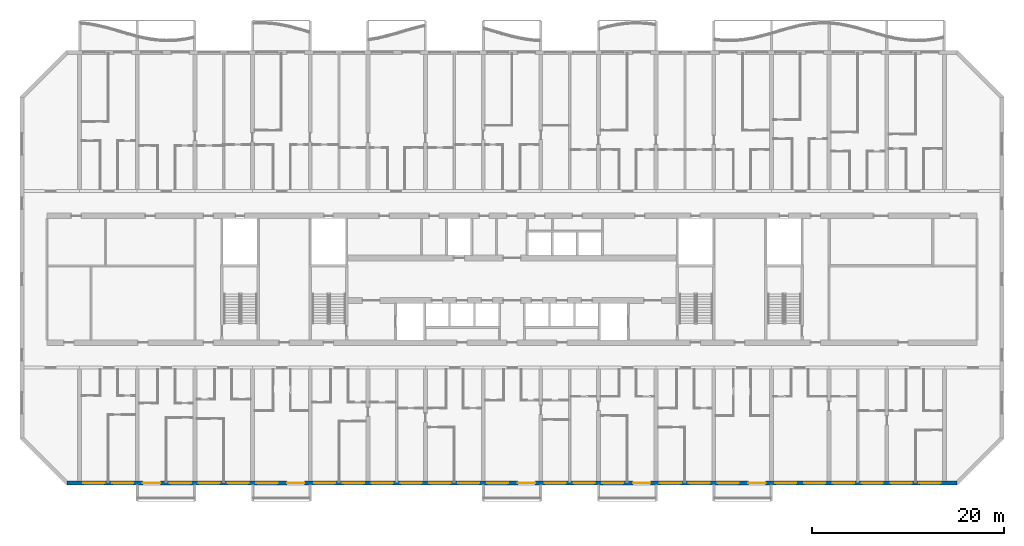
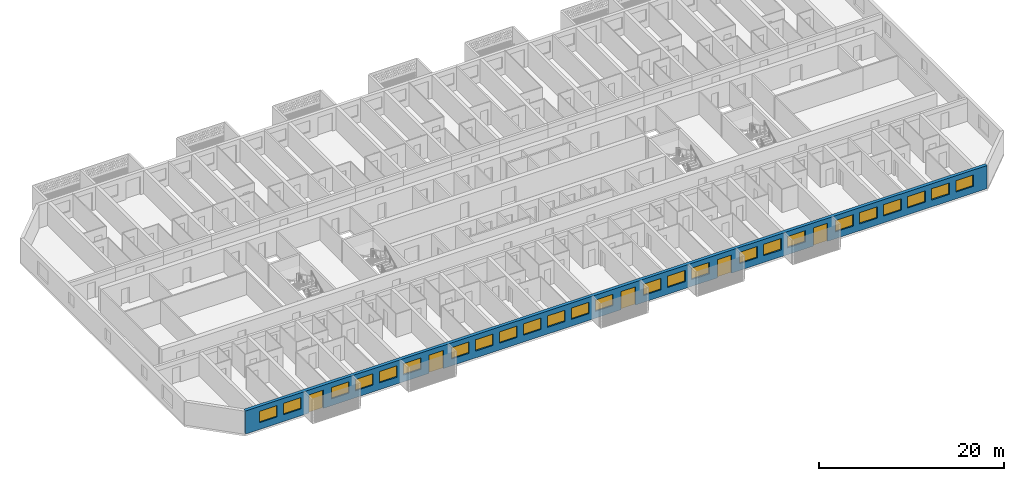
# One storey, part 5 of 40: 25 windows, 5 doors, 1 wall, 30 openings.
"""IFC4 building model written with IfcOpenShell, lengths in metres."""

from ifc_helpers import new_model, si_unit, direction, frame, frame_2d, origin, place, context, subcontext, project, spatial, rectangle, extrude, material, layer, layer_set, type_object, element, fill, save


model = new_model("IFC4")

# Units and contexts
model_context = context("Model", 3, precision=1e-05, world=origin(), true_north=direction((0.0, 1.0)))
body_context = subcontext(model_context, "Body", "Model", "MODEL_VIEW")
ifc_project = project(units=[si_unit("LENGTHUNIT", "METRE"), si_unit("AREAUNIT", "SQUARE_METRE"), si_unit("VOLUMEUNIT", "CUBIC_METRE"), si_unit("PLANEANGLEUNIT", "RADIAN"), si_unit("MASSUNIT", "GRAM", prefix="KILO")], contexts=[model_context])

# Site, building, storey
site_placement = place(None, origin())
site = spatial("IfcSite", under=ifc_project, at=site_placement, CompositionType="ELEMENT")
building_placement = place(site_placement, origin())
building = spatial("IfcBuilding", under=site, at=building_placement, Name="Poui Terraces", CompositionType="ELEMENT")
storey_placement = place(building_placement, frame((0.0, 0.0, 39.89990234375)))
storey = spatial("IfcBuildingStorey", under=building, at=storey_placement, Name="L10", CompositionType="ELEMENT", Elevation=39.89990234375)

# Wall, openings, doors, windows
ifc_material_1 = material(Name="Precast concrete 40 MPa", Category="concrete")
ifc_layer = layer(ifc_material_1, 0.39990234375)
ifc_layer_set = layer_set([ifc_layer], Name="Precast concrete 40 MPa")
wall_type = type_object("IfcWallType", Name="EXTERNAL WALL 400", PredefinedType="STANDARD", material=ifc_layer_set)
wall_placement = place(storey_placement, frame((4.682861328125, 0.0, 0.0), z_axis=(0.0, 0.0, 1.0), x_axis=(1.0, 0.0, 0.0)))
wall = element("IfcWall", 1, at=wall_placement, inside=storey, type_object=wall_type, Name="EXTERNAL WALL S", PredefinedType="STANDARD", context=body_context, shape_type="SweptSolid", body=[
    extrude(rectangle(XDim=92.63427734375, YDim=0.39990234375, at=frame_2d((46.317138671875, 0.0))), origin(), (0.0, 0.0, 1.0), 3.050048828125),
])
opening_1_placement = place(wall_placement, frame((1.71728515625, 0.0, 0.89990234375)))
opening_1 = element("IfcOpeningElement", 2, at=opening_1_placement, cuts=wall, Name="Opening W1", PredefinedType="OPENING", context=body_context, shape_type="SweptSolid", body=[
    extrude(rectangle(XDim=2.199951171875, YDim=1.5, at=frame_2d((1.10009765625, 0.75))), frame((0.0, 0.2099609375, 0.0), z_axis=(0.0, -1.0, 0.0), x_axis=(1.0, 0.0, 0.0)), (0.0, 0.0, 1.0), 0.419921875),
])
opening_2_placement = place(wall_placement, frame((4.71728515625, 0.0, 0.89990234375)))
opening_2 = element("IfcOpeningElement", 3, at=opening_2_placement, cuts=wall, Name="Opening W1", PredefinedType="OPENING", context=body_context, shape_type="SweptSolid", body=[
    extrude(rectangle(XDim=2.199951171875, YDim=1.5, at=frame_2d((1.10009765625, 0.75))), frame((0.0, 0.2099609375, 0.0), z_axis=(0.0, -1.0, 0.0), x_axis=(1.0, 0.0, 0.0)), (0.0, 0.0, 1.0), 0.419921875),
])
opening_3_placement = place(wall_placement, frame((7.917236328125, 0.0, 0.0)))
opening_3 = element("IfcOpeningElement", 4, at=opening_3_placement, cuts=wall, Name="Opening BD1", PredefinedType="OPENING", context=body_context, shape_type="SweptSolid", body=[
    extrude(rectangle(XDim=1.800048828125, YDim=2.39990234375, at=frame_2d((0.89990234375, 1.199951171875))), frame((0.0, 0.2099609375, 0.0), z_axis=(0.0, -1.0, 0.0), x_axis=(1.0, 0.0, 0.0)), (0.0, 0.0, 1.0), 0.419921875),
])
opening_4_placement = place(wall_placement, frame((10.71728515625, 0.0, 0.89990234375)))
opening_4 = element("IfcOpeningElement", 5, at=opening_4_placement, cuts=wall, Name="Opening W1", PredefinedType="OPENING", context=body_context, shape_type="SweptSolid", body=[
    extrude(rectangle(XDim=2.199951171875, YDim=1.5, at=frame_2d((1.10009765625, 0.75))), frame((0.0, 0.2099609375, 0.0), z_axis=(0.0, -1.0, 0.0), x_axis=(1.0, 0.0, 0.0)), (0.0, 0.0, 1.0), 0.419921875),
])
opening_5_placement = place(wall_placement, frame((13.71728515625, 0.0, 0.89990234375)))
opening_5 = element("IfcOpeningElement", 6, at=opening_5_placement, cuts=wall, Name="Opening W1", PredefinedType="OPENING", context=body_context, shape_type="SweptSolid", body=[
    extrude(rectangle(XDim=2.199951171875, YDim=1.5, at=frame_2d((1.10009765625, 0.75))), frame((0.0, 0.2099609375, 0.0), z_axis=(0.0, -1.0, 0.0), x_axis=(1.0, 0.0, 0.0)), (0.0, 0.0, 1.0), 0.419921875),
])
opening_6_placement = place(wall_placement, frame((16.71728515625, 0.0, 0.89990234375)))
opening_6 = element("IfcOpeningElement", 7, at=opening_6_placement, cuts=wall, Name="Opening W1", PredefinedType="OPENING", context=body_context, shape_type="SweptSolid", body=[
    extrude(rectangle(XDim=2.199951171875, YDim=1.5, at=frame_2d((1.10009765625, 0.75))), frame((0.0, 0.2099609375, 0.0), z_axis=(0.0, -1.0, 0.0), x_axis=(1.0, 0.0, 0.0)), (0.0, 0.0, 1.0), 0.419921875),
])
opening_7_placement = place(wall_placement, frame((19.71728515625, 0.0, 0.89990234375)))
opening_7 = element("IfcOpeningElement", 8, at=opening_7_placement, cuts=wall, Name="Opening W1", PredefinedType="OPENING", context=body_context, shape_type="SweptSolid", body=[
    extrude(rectangle(XDim=2.199951171875, YDim=1.5, at=frame_2d((1.10009765625, 0.75))), frame((0.0, 0.2099609375, 0.0), z_axis=(0.0, -1.0, 0.0), x_axis=(1.0, 0.0, 0.0)), (0.0, 0.0, 1.0), 0.419921875),
])
opening_8_placement = place(wall_placement, frame((22.917236328125, 0.0, 0.0)))
opening_8 = element("IfcOpeningElement", 9, at=opening_8_placement, cuts=wall, Name="Opening BD1", PredefinedType="OPENING", context=body_context, shape_type="SweptSolid", body=[
    extrude(rectangle(XDim=1.800048828125, YDim=2.39990234375, at=frame_2d((0.89990234375, 1.199951171875))), frame((0.0, 0.2099609375, 0.0), z_axis=(0.0, -1.0, 0.0), x_axis=(1.0, 0.0, 0.0)), (0.0, 0.0, 1.0), 0.419921875),
])
opening_9_placement = place(wall_placement, frame((25.71728515625, 0.0, 0.89990234375)))
opening_9 = element("IfcOpeningElement", 10, at=opening_9_placement, cuts=wall, Name="Opening W1", PredefinedType="OPENING", context=body_context, shape_type="SweptSolid", body=[
    extrude(rectangle(XDim=2.199951171875, YDim=1.5, at=frame_2d((1.10009765625, 0.75))), frame((0.0, 0.2099609375, 0.0), z_axis=(0.0, -1.0, 0.0), x_axis=(1.0, 0.0, 0.0)), (0.0, 0.0, 1.0), 0.419921875),
])
opening_10_placement = place(wall_placement, frame((28.71728515625, 0.0, 0.89990234375)))
opening_10 = element("IfcOpeningElement", 11, at=opening_10_placement, cuts=wall, Name="Opening W1", PredefinedType="OPENING", context=body_context, shape_type="SweptSolid", body=[
    extrude(rectangle(XDim=2.199951171875, YDim=1.5, at=frame_2d((1.10009765625, 0.75))), frame((0.0, 0.2099609375, 0.0), z_axis=(0.0, -1.0, 0.0), x_axis=(1.0, 0.0, 0.0)), (0.0, 0.0, 1.0), 0.419921875),
])
opening_11_placement = place(wall_placement, frame((31.71728515625, 0.0, 0.89990234375)))
opening_11 = element("IfcOpeningElement", 12, at=opening_11_placement, cuts=wall, Name="Opening W1", PredefinedType="OPENING", context=body_context, shape_type="SweptSolid", body=[
    extrude(rectangle(XDim=2.199951171875, YDim=1.5, at=frame_2d((1.10009765625, 0.75))), frame((0.0, 0.2099609375, 0.0), z_axis=(0.0, -1.0, 0.0), x_axis=(1.0, 0.0, 0.0)), (0.0, 0.0, 1.0), 0.419921875),
])
opening_12_placement = place(wall_placement, frame((34.71728515625, 0.0, 0.89990234375)))
opening_12 = element("IfcOpeningElement", 13, at=opening_12_placement, cuts=wall, Name="Opening W1", PredefinedType="OPENING", context=body_context, shape_type="SweptSolid", body=[
    extrude(rectangle(XDim=2.199951171875, YDim=1.5, at=frame_2d((1.10009765625, 0.75))), frame((0.0, 0.2099609375, 0.0), z_axis=(0.0, -1.0, 0.0), x_axis=(1.0, 0.0, 0.0)), (0.0, 0.0, 1.0), 0.419921875),
])
opening_13_placement = place(wall_placement, frame((37.71728515625, 0.0, 0.89990234375)))
opening_13 = element("IfcOpeningElement", 14, at=opening_13_placement, cuts=wall, Name="Opening W1", PredefinedType="OPENING", context=body_context, shape_type="SweptSolid", body=[
    extrude(rectangle(XDim=2.199951171875, YDim=1.5, at=frame_2d((1.10009765625, 0.75))), frame((0.0, 0.2099609375, 0.0), z_axis=(0.0, -1.0, 0.0), x_axis=(1.0, 0.0, 0.0)), (0.0, 0.0, 1.0), 0.419921875),
])
opening_14_placement = place(wall_placement, frame((40.71728515625, 0.0, 0.89990234375)))
opening_14 = element("IfcOpeningElement", 15, at=opening_14_placement, cuts=wall, Name="Opening W1", PredefinedType="OPENING", context=body_context, shape_type="SweptSolid", body=[
    extrude(rectangle(XDim=2.199951171875, YDim=1.5, at=frame_2d((1.10009765625, 0.75))), frame((0.0, 0.2099609375, 0.0), z_axis=(0.0, -1.0, 0.0), x_axis=(1.0, 0.0, 0.0)), (0.0, 0.0, 1.0), 0.419921875),
])
opening_15_placement = place(wall_placement, frame((43.71728515625, 0.0, 0.89990234375)))
opening_15 = element("IfcOpeningElement", 16, at=opening_15_placement, cuts=wall, Name="Opening W1", PredefinedType="OPENING", context=body_context, shape_type="SweptSolid", body=[
    extrude(rectangle(XDim=2.199951171875, YDim=1.5, at=frame_2d((1.10009765625, 0.75))), frame((0.0, 0.2099609375, 0.0), z_axis=(0.0, -1.0, 0.0), x_axis=(1.0, 0.0, 0.0)), (0.0, 0.0, 1.0), 0.419921875),
])
opening_16_placement = place(wall_placement, frame((46.917236328125, 0.0, 0.0)))
opening_16 = element("IfcOpeningElement", 17, at=opening_16_placement, cuts=wall, Name="Opening BD1", PredefinedType="OPENING", context=body_context, shape_type="SweptSolid", body=[
    extrude(rectangle(XDim=1.800048828125, YDim=2.39990234375, at=frame_2d((0.89990234375, 1.199951171875))), frame((0.0, 0.2099609375, 0.0), z_axis=(0.0, -1.0, 0.0), x_axis=(1.0, 0.0, 0.0)), (0.0, 0.0, 1.0), 0.419921875),
])
opening_17_placement = place(wall_placement, frame((49.71728515625, 0.0, 0.89990234375)))
opening_17 = element("IfcOpeningElement", 18, at=opening_17_placement, cuts=wall, Name="Opening W1", PredefinedType="OPENING", context=body_context, shape_type="SweptSolid", body=[
    extrude(rectangle(XDim=2.199951171875, YDim=1.5, at=frame_2d((1.10009765625, 0.75))), frame((0.0, 0.2099609375, 0.0), z_axis=(0.0, -1.0, 0.0), x_axis=(1.0, 0.0, 0.0)), (0.0, 0.0, 1.0), 0.419921875),
])
opening_18_placement = place(wall_placement, frame((52.71728515625, 0.0, 0.89990234375)))
opening_18 = element("IfcOpeningElement", 19, at=opening_18_placement, cuts=wall, Name="Opening W1", PredefinedType="OPENING", context=body_context, shape_type="SweptSolid", body=[
    extrude(rectangle(XDim=2.199951171875, YDim=1.5, at=frame_2d((1.10009765625, 0.75))), frame((0.0, 0.2099609375, 0.0), z_axis=(0.0, -1.0, 0.0), x_axis=(1.0, 0.0, 0.0)), (0.0, 0.0, 1.0), 0.419921875),
])
opening_19_placement = place(wall_placement, frame((55.71728515625, 0.0, 0.89990234375)))
opening_19 = element("IfcOpeningElement", 20, at=opening_19_placement, cuts=wall, Name="Opening W1", PredefinedType="OPENING", context=body_context, shape_type="SweptSolid", body=[
    extrude(rectangle(XDim=2.199951171875, YDim=1.5, at=frame_2d((1.10009765625, 0.75))), frame((0.0, 0.2099609375, 0.0), z_axis=(0.0, -1.0, 0.0), x_axis=(1.0, 0.0, 0.0)), (0.0, 0.0, 1.0), 0.419921875),
])
opening_20_placement = place(wall_placement, frame((58.917236328125, 0.0, 0.0)))
opening_20 = element("IfcOpeningElement", 21, at=opening_20_placement, cuts=wall, Name="Opening BD1", PredefinedType="OPENING", context=body_context, shape_type="SweptSolid", body=[
    extrude(rectangle(XDim=1.800048828125, YDim=2.39990234375, at=frame_2d((0.89990234375, 1.199951171875))), frame((0.0, 0.2099609375, 0.0), z_axis=(0.0, -1.0, 0.0), x_axis=(1.0, 0.0, 0.0)), (0.0, 0.0, 1.0), 0.419921875),
])
opening_21_placement = place(wall_placement, frame((61.71728515625, 0.0, 0.89990234375)))
opening_21 = element("IfcOpeningElement", 22, at=opening_21_placement, cuts=wall, Name="Opening W1", PredefinedType="OPENING", context=body_context, shape_type="SweptSolid", body=[
    extrude(rectangle(XDim=2.199951171875, YDim=1.5, at=frame_2d((1.10009765625, 0.75))), frame((0.0, 0.2099609375, 0.0), z_axis=(0.0, -1.0, 0.0), x_axis=(1.0, 0.0, 0.0)), (0.0, 0.0, 1.0), 0.419921875),
])
opening_22_placement = place(wall_placement, frame((64.71728515625, 0.0, 0.89990234375)))
opening_22 = element("IfcOpeningElement", 23, at=opening_22_placement, cuts=wall, Name="Opening W1", PredefinedType="OPENING", context=body_context, shape_type="SweptSolid", body=[
    extrude(rectangle(XDim=2.199951171875, YDim=1.5, at=frame_2d((1.10009765625, 0.75))), frame((0.0, 0.2099609375, 0.0), z_axis=(0.0, -1.0, 0.0), x_axis=(1.0, 0.0, 0.0)), (0.0, 0.0, 1.0), 0.419921875),
])
opening_23_placement = place(wall_placement, frame((67.71728515625, 0.0, 0.89990234375)))
opening_23 = element("IfcOpeningElement", 24, at=opening_23_placement, cuts=wall, Name="Opening W1", PredefinedType="OPENING", context=body_context, shape_type="SweptSolid", body=[
    extrude(rectangle(XDim=2.199951171875, YDim=1.5, at=frame_2d((1.10009765625, 0.75))), frame((0.0, 0.2099609375, 0.0), z_axis=(0.0, -1.0, 0.0), x_axis=(1.0, 0.0, 0.0)), (0.0, 0.0, 1.0), 0.419921875),
])
opening_24_placement = place(wall_placement, frame((70.917236328125, 0.0, 0.0)))
opening_24 = element("IfcOpeningElement", 25, at=opening_24_placement, cuts=wall, Name="Opening BD1", PredefinedType="OPENING", context=body_context, shape_type="SweptSolid", body=[
    extrude(rectangle(XDim=1.800048828125, YDim=2.39990234375, at=frame_2d((0.89990234375, 1.199951171875))), frame((0.0, 0.2099609375, 0.0), z_axis=(0.0, -1.0, 0.0), x_axis=(1.0, 0.0, 0.0)), (0.0, 0.0, 1.0), 0.419921875),
])
opening_25_placement = place(wall_placement, frame((73.71728515625, 0.0, 0.89990234375)))
opening_25 = element("IfcOpeningElement", 26, at=opening_25_placement, cuts=wall, Name="Opening W1", PredefinedType="OPENING", context=body_context, shape_type="SweptSolid", body=[
    extrude(rectangle(XDim=2.199951171875, YDim=1.5, at=frame_2d((1.10009765625, 0.75))), frame((0.0, 0.2099609375, 0.0), z_axis=(0.0, -1.0, 0.0), x_axis=(1.0, 0.0, 0.0)), (0.0, 0.0, 1.0), 0.419921875),
])
opening_26_placement = place(wall_placement, frame((76.71728515625, 0.0, 0.89990234375)))
opening_26 = element("IfcOpeningElement", 27, at=opening_26_placement, cuts=wall, Name="Opening W1", PredefinedType="OPENING", context=body_context, shape_type="SweptSolid", body=[
    extrude(rectangle(XDim=2.199951171875, YDim=1.5, at=frame_2d((1.10009765625, 0.75))), frame((0.0, 0.2099609375, 0.0), z_axis=(0.0, -1.0, 0.0), x_axis=(1.0, 0.0, 0.0)), (0.0, 0.0, 1.0), 0.419921875),
])
opening_27_placement = place(wall_placement, frame((79.71728515625, 0.0, 0.89990234375)))
opening_27 = element("IfcOpeningElement", 28, at=opening_27_placement, cuts=wall, Name="Opening W1", PredefinedType="OPENING", context=body_context, shape_type="SweptSolid", body=[
    extrude(rectangle(XDim=2.199951171875, YDim=1.5, at=frame_2d((1.10009765625, 0.75))), frame((0.0, 0.2099609375, 0.0), z_axis=(0.0, -1.0, 0.0), x_axis=(1.0, 0.0, 0.0)), (0.0, 0.0, 1.0), 0.419921875),
])
opening_28_placement = place(wall_placement, frame((82.71728515625, 0.0, 0.89990234375)))
opening_28 = element("IfcOpeningElement", 29, at=opening_28_placement, cuts=wall, Name="Opening W1", PredefinedType="OPENING", context=body_context, shape_type="SweptSolid", body=[
    extrude(rectangle(XDim=2.199951171875, YDim=1.5, at=frame_2d((1.10009765625, 0.75))), frame((0.0, 0.2099609375, 0.0), z_axis=(0.0, -1.0, 0.0), x_axis=(1.0, 0.0, 0.0)), (0.0, 0.0, 1.0), 0.419921875),
])
opening_29_placement = place(wall_placement, frame((85.71728515625, 0.0, 0.89990234375)))
opening_29 = element("IfcOpeningElement", 30, at=opening_29_placement, cuts=wall, Name="Opening W1", PredefinedType="OPENING", context=body_context, shape_type="SweptSolid", body=[
    extrude(rectangle(XDim=2.199951171875, YDim=1.5, at=frame_2d((1.10009765625, 0.75))), frame((0.0, 0.2099609375, 0.0), z_axis=(0.0, -1.0, 0.0), x_axis=(1.0, 0.0, 0.0)), (0.0, 0.0, 1.0), 0.419921875),
])
opening_30_placement = place(wall_placement, frame((88.71728515625, 0.0, 0.89990234375)))
opening_30 = element("IfcOpeningElement", 31, at=opening_30_placement, cuts=wall, Name="Opening W1", PredefinedType="OPENING", context=body_context, shape_type="SweptSolid", body=[
    extrude(rectangle(XDim=2.199951171875, YDim=1.5, at=frame_2d((1.10009765625, 0.75))), frame((0.0, 0.2099609375, 0.0), z_axis=(0.0, -1.0, 0.0), x_axis=(1.0, 0.0, 0.0)), (0.0, 0.0, 1.0), 0.419921875),
])
ifc_material_2 = material(Name="Clear glass in aluminium frame", Category="aluminium")
door_type = type_object("IfcDoorType", Name="BALCONY DOOR 1800X2400", OperationType="DOUBLE_DOOR_SLIDING", PredefinedType="DOOR", material=ifc_material_2)
door_1_placement = place(opening_3_placement, origin())
door_1 = element("IfcDoor", 32, at=door_1_placement, inside=storey, type_object=door_type, Name="BD1 BALCONY DOOR", OperationType="DOUBLE_DOOR_SLIDING", OverallHeight=2.39990234375, OverallWidth=1.800048828125, PredefinedType="DOOR", context=body_context, shape_type="SweptSolid", body=[
    extrude(rectangle(XDim=1.800048828125, YDim=2.39990234375, at=frame_2d((0.89990234375, 1.199951171875))), frame((0.0, 0.02490234375, 0.0), z_axis=(0.0, -1.0, 0.0), x_axis=(1.0, 0.0, 0.0)), (0.0, 0.0, 1.0), 0.050048828125),
])
fill(opening_3, door_1)
door_2_placement = place(opening_8_placement, origin())
door_2 = element("IfcDoor", 33, at=door_2_placement, inside=storey, type_object=door_type, Name="BD1 BALCONY DOOR", OperationType="DOUBLE_DOOR_SLIDING", OverallHeight=2.39990234375, OverallWidth=1.800048828125, PredefinedType="DOOR", context=body_context, shape_type="SweptSolid", body=[
    extrude(rectangle(XDim=1.800048828125, YDim=2.39990234375, at=frame_2d((0.89990234375, 1.199951171875))), frame((0.0, 0.02490234375, 0.0), z_axis=(0.0, -1.0, 0.0), x_axis=(1.0, 0.0, 0.0)), (0.0, 0.0, 1.0), 0.050048828125),
])
fill(opening_8, door_2)
door_3_placement = place(opening_16_placement, origin())
door_3 = element("IfcDoor", 34, at=door_3_placement, inside=storey, type_object=door_type, Name="BD1 BALCONY DOOR", OperationType="DOUBLE_DOOR_SLIDING", OverallHeight=2.39990234375, OverallWidth=1.800048828125, PredefinedType="DOOR", context=body_context, shape_type="SweptSolid", body=[
    extrude(rectangle(XDim=1.800048828125, YDim=2.39990234375, at=frame_2d((0.89990234375, 1.199951171875))), frame((0.0, 0.02490234375, 0.0), z_axis=(0.0, -1.0, 0.0), x_axis=(1.0, 0.0, 0.0)), (0.0, 0.0, 1.0), 0.050048828125),
])
fill(opening_16, door_3)
door_4_placement = place(opening_20_placement, origin())
door_4 = element("IfcDoor", 35, at=door_4_placement, inside=storey, type_object=door_type, Name="BD1 BALCONY DOOR", OperationType="DOUBLE_DOOR_SLIDING", OverallHeight=2.39990234375, OverallWidth=1.800048828125, PredefinedType="DOOR", context=body_context, shape_type="SweptSolid", body=[
    extrude(rectangle(XDim=1.800048828125, YDim=2.39990234375, at=frame_2d((0.89990234375, 1.199951171875))), frame((0.0, 0.02490234375, 0.0), z_axis=(0.0, -1.0, 0.0), x_axis=(1.0, 0.0, 0.0)), (0.0, 0.0, 1.0), 0.050048828125),
])
fill(opening_20, door_4)
door_5_placement = place(opening_24_placement, origin())
door_5 = element("IfcDoor", 36, at=door_5_placement, inside=storey, type_object=door_type, Name="BD1 BALCONY DOOR", OperationType="DOUBLE_DOOR_SLIDING", OverallHeight=2.39990234375, OverallWidth=1.800048828125, PredefinedType="DOOR", context=body_context, shape_type="SweptSolid", body=[
    extrude(rectangle(XDim=1.800048828125, YDim=2.39990234375, at=frame_2d((0.89990234375, 1.199951171875))), frame((0.0, 0.02490234375, 0.0), z_axis=(0.0, -1.0, 0.0), x_axis=(1.0, 0.0, 0.0)), (0.0, 0.0, 1.0), 0.050048828125),
])
fill(opening_24, door_5)
window_type = type_object("IfcWindowType", Name="WINDOW 2200X1500", PartitioningType="DOUBLE_PANEL_HORIZONTAL", PredefinedType="WINDOW", material=ifc_material_2)
window_1_placement = place(opening_1_placement, origin())
window_1 = element("IfcWindow", 37, at=window_1_placement, inside=storey, type_object=window_type, Name="W1 WINDOW", OverallHeight=1.5, OverallWidth=2.199951171875, PartitioningType="DOUBLE_PANEL_HORIZONTAL", PredefinedType="WINDOW", context=body_context, shape_type="SweptSolid", body=[
    extrude(rectangle(XDim=2.199951171875, YDim=1.5, at=frame_2d((1.10009765625, 0.75))), frame((0.0, 0.030029296875, 0.0), z_axis=(0.0, -1.0, 0.0), x_axis=(1.0, 0.0, 0.0)), (0.0, 0.0, 1.0), 0.06005859375),
])
fill(opening_1, window_1)
window_2_placement = place(opening_2_placement, origin())
window_2 = element("IfcWindow", 38, at=window_2_placement, inside=storey, type_object=window_type, Name="W1 WINDOW", OverallHeight=1.5, OverallWidth=2.199951171875, PartitioningType="DOUBLE_PANEL_HORIZONTAL", PredefinedType="WINDOW", context=body_context, shape_type="SweptSolid", body=[
    extrude(rectangle(XDim=2.199951171875, YDim=1.5, at=frame_2d((1.10009765625, 0.75))), frame((0.0, 0.030029296875, 0.0), z_axis=(0.0, -1.0, 0.0), x_axis=(1.0, 0.0, 0.0)), (0.0, 0.0, 1.0), 0.06005859375),
])
fill(opening_2, window_2)
window_3_placement = place(opening_4_placement, origin())
window_3 = element("IfcWindow", 39, at=window_3_placement, inside=storey, type_object=window_type, Name="W1 WINDOW", OverallHeight=1.5, OverallWidth=2.199951171875, PartitioningType="DOUBLE_PANEL_HORIZONTAL", PredefinedType="WINDOW", context=body_context, shape_type="SweptSolid", body=[
    extrude(rectangle(XDim=2.199951171875, YDim=1.5, at=frame_2d((1.10009765625, 0.75))), frame((0.0, 0.030029296875, 0.0), z_axis=(0.0, -1.0, 0.0), x_axis=(1.0, 0.0, 0.0)), (0.0, 0.0, 1.0), 0.06005859375),
])
fill(opening_4, window_3)
window_4_placement = place(opening_5_placement, origin())
window_4 = element("IfcWindow", 40, at=window_4_placement, inside=storey, type_object=window_type, Name="W1 WINDOW", OverallHeight=1.5, OverallWidth=2.199951171875, PartitioningType="DOUBLE_PANEL_HORIZONTAL", PredefinedType="WINDOW", context=body_context, shape_type="SweptSolid", body=[
    extrude(rectangle(XDim=2.199951171875, YDim=1.5, at=frame_2d((1.10009765625, 0.75))), frame((0.0, 0.030029296875, 0.0), z_axis=(0.0, -1.0, 0.0), x_axis=(1.0, 0.0, 0.0)), (0.0, 0.0, 1.0), 0.06005859375),
])
fill(opening_5, window_4)
window_5_placement = place(opening_6_placement, origin())
window_5 = element("IfcWindow", 41, at=window_5_placement, inside=storey, type_object=window_type, Name="W1 WINDOW", OverallHeight=1.5, OverallWidth=2.199951171875, PartitioningType="DOUBLE_PANEL_HORIZONTAL", PredefinedType="WINDOW", context=body_context, shape_type="SweptSolid", body=[
    extrude(rectangle(XDim=2.199951171875, YDim=1.5, at=frame_2d((1.10009765625, 0.75))), frame((0.0, 0.030029296875, 0.0), z_axis=(0.0, -1.0, 0.0), x_axis=(1.0, 0.0, 0.0)), (0.0, 0.0, 1.0), 0.06005859375),
])
fill(opening_6, window_5)
window_6_placement = place(opening_7_placement, origin())
window_6 = element("IfcWindow", 42, at=window_6_placement, inside=storey, type_object=window_type, Name="W1 WINDOW", OverallHeight=1.5, OverallWidth=2.199951171875, PartitioningType="DOUBLE_PANEL_HORIZONTAL", PredefinedType="WINDOW", context=body_context, shape_type="SweptSolid", body=[
    extrude(rectangle(XDim=2.199951171875, YDim=1.5, at=frame_2d((1.10009765625, 0.75))), frame((0.0, 0.030029296875, 0.0), z_axis=(0.0, -1.0, 0.0), x_axis=(1.0, 0.0, 0.0)), (0.0, 0.0, 1.0), 0.06005859375),
])
fill(opening_7, window_6)
window_7_placement = place(opening_9_placement, origin())
window_7 = element("IfcWindow", 43, at=window_7_placement, inside=storey, type_object=window_type, Name="W1 WINDOW", OverallHeight=1.5, OverallWidth=2.199951171875, PartitioningType="DOUBLE_PANEL_HORIZONTAL", PredefinedType="WINDOW", context=body_context, shape_type="SweptSolid", body=[
    extrude(rectangle(XDim=2.199951171875, YDim=1.5, at=frame_2d((1.10009765625, 0.75))), frame((0.0, 0.030029296875, 0.0), z_axis=(0.0, -1.0, 0.0), x_axis=(1.0, 0.0, 0.0)), (0.0, 0.0, 1.0), 0.06005859375),
])
fill(opening_9, window_7)
window_8_placement = place(opening_10_placement, origin())
window_8 = element("IfcWindow", 44, at=window_8_placement, inside=storey, type_object=window_type, Name="W1 WINDOW", OverallHeight=1.5, OverallWidth=2.199951171875, PartitioningType="DOUBLE_PANEL_HORIZONTAL", PredefinedType="WINDOW", context=body_context, shape_type="SweptSolid", body=[
    extrude(rectangle(XDim=2.199951171875, YDim=1.5, at=frame_2d((1.10009765625, 0.75))), frame((0.0, 0.030029296875, 0.0), z_axis=(0.0, -1.0, 0.0), x_axis=(1.0, 0.0, 0.0)), (0.0, 0.0, 1.0), 0.06005859375),
])
fill(opening_10, window_8)
window_9_placement = place(opening_11_placement, origin())
window_9 = element("IfcWindow", 45, at=window_9_placement, inside=storey, type_object=window_type, Name="W1 WINDOW", OverallHeight=1.5, OverallWidth=2.199951171875, PartitioningType="DOUBLE_PANEL_HORIZONTAL", PredefinedType="WINDOW", context=body_context, shape_type="SweptSolid", body=[
    extrude(rectangle(XDim=2.199951171875, YDim=1.5, at=frame_2d((1.10009765625, 0.75))), frame((0.0, 0.030029296875, 0.0), z_axis=(0.0, -1.0, 0.0), x_axis=(1.0, 0.0, 0.0)), (0.0, 0.0, 1.0), 0.06005859375),
])
fill(opening_11, window_9)
window_10_placement = place(opening_12_placement, origin())
window_10 = element("IfcWindow", 46, at=window_10_placement, inside=storey, type_object=window_type, Name="W1 WINDOW", OverallHeight=1.5, OverallWidth=2.199951171875, PartitioningType="DOUBLE_PANEL_HORIZONTAL", PredefinedType="WINDOW", context=body_context, shape_type="SweptSolid", body=[
    extrude(rectangle(XDim=2.199951171875, YDim=1.5, at=frame_2d((1.10009765625, 0.75))), frame((0.0, 0.030029296875, 0.0), z_axis=(0.0, -1.0, 0.0), x_axis=(1.0, 0.0, 0.0)), (0.0, 0.0, 1.0), 0.06005859375),
])
fill(opening_12, window_10)
window_11_placement = place(opening_13_placement, origin())
window_11 = element("IfcWindow", 47, at=window_11_placement, inside=storey, type_object=window_type, Name="W1 WINDOW", OverallHeight=1.5, OverallWidth=2.199951171875, PartitioningType="DOUBLE_PANEL_HORIZONTAL", PredefinedType="WINDOW", context=body_context, shape_type="SweptSolid", body=[
    extrude(rectangle(XDim=2.199951171875, YDim=1.5, at=frame_2d((1.10009765625, 0.75))), frame((0.0, 0.030029296875, 0.0), z_axis=(0.0, -1.0, 0.0), x_axis=(1.0, 0.0, 0.0)), (0.0, 0.0, 1.0), 0.06005859375),
])
fill(opening_13, window_11)
window_12_placement = place(opening_14_placement, origin())
window_12 = element("IfcWindow", 48, at=window_12_placement, inside=storey, type_object=window_type, Name="W1 WINDOW", OverallHeight=1.5, OverallWidth=2.199951171875, PartitioningType="DOUBLE_PANEL_HORIZONTAL", PredefinedType="WINDOW", context=body_context, shape_type="SweptSolid", body=[
    extrude(rectangle(XDim=2.199951171875, YDim=1.5, at=frame_2d((1.10009765625, 0.75))), frame((0.0, 0.030029296875, 0.0), z_axis=(0.0, -1.0, 0.0), x_axis=(1.0, 0.0, 0.0)), (0.0, 0.0, 1.0), 0.06005859375),
])
fill(opening_14, window_12)
window_13_placement = place(opening_15_placement, origin())
window_13 = element("IfcWindow", 49, at=window_13_placement, inside=storey, type_object=window_type, Name="W1 WINDOW", OverallHeight=1.5, OverallWidth=2.199951171875, PartitioningType="DOUBLE_PANEL_HORIZONTAL", PredefinedType="WINDOW", context=body_context, shape_type="SweptSolid", body=[
    extrude(rectangle(XDim=2.199951171875, YDim=1.5, at=frame_2d((1.10009765625, 0.75))), frame((0.0, 0.030029296875, 0.0), z_axis=(0.0, -1.0, 0.0), x_axis=(1.0, 0.0, 0.0)), (0.0, 0.0, 1.0), 0.06005859375),
])
fill(opening_15, window_13)
window_14_placement = place(opening_17_placement, origin())
window_14 = element("IfcWindow", 50, at=window_14_placement, inside=storey, type_object=window_type, Name="W1 WINDOW", OverallHeight=1.5, OverallWidth=2.199951171875, PartitioningType="DOUBLE_PANEL_HORIZONTAL", PredefinedType="WINDOW", context=body_context, shape_type="SweptSolid", body=[
    extrude(rectangle(XDim=2.199951171875, YDim=1.5, at=frame_2d((1.10009765625, 0.75))), frame((0.0, 0.030029296875, 0.0), z_axis=(0.0, -1.0, 0.0), x_axis=(1.0, 0.0, 0.0)), (0.0, 0.0, 1.0), 0.06005859375),
])
fill(opening_17, window_14)
window_15_placement = place(opening_18_placement, origin())
window_15 = element("IfcWindow", 51, at=window_15_placement, inside=storey, type_object=window_type, Name="W1 WINDOW", OverallHeight=1.5, OverallWidth=2.199951171875, PartitioningType="DOUBLE_PANEL_HORIZONTAL", PredefinedType="WINDOW", context=body_context, shape_type="SweptSolid", body=[
    extrude(rectangle(XDim=2.199951171875, YDim=1.5, at=frame_2d((1.10009765625, 0.75))), frame((0.0, 0.030029296875, 0.0), z_axis=(0.0, -1.0, 0.0), x_axis=(1.0, 0.0, 0.0)), (0.0, 0.0, 1.0), 0.06005859375),
])
fill(opening_18, window_15)
window_16_placement = place(opening_19_placement, origin())
window_16 = element("IfcWindow", 52, at=window_16_placement, inside=storey, type_object=window_type, Name="W1 WINDOW", OverallHeight=1.5, OverallWidth=2.199951171875, PartitioningType="DOUBLE_PANEL_HORIZONTAL", PredefinedType="WINDOW", context=body_context, shape_type="SweptSolid", body=[
    extrude(rectangle(XDim=2.199951171875, YDim=1.5, at=frame_2d((1.10009765625, 0.75))), frame((0.0, 0.030029296875, 0.0), z_axis=(0.0, -1.0, 0.0), x_axis=(1.0, 0.0, 0.0)), (0.0, 0.0, 1.0), 0.06005859375),
])
fill(opening_19, window_16)
window_17_placement = place(opening_21_placement, origin())
window_17 = element("IfcWindow", 53, at=window_17_placement, inside=storey, type_object=window_type, Name="W1 WINDOW", OverallHeight=1.5, OverallWidth=2.199951171875, PartitioningType="DOUBLE_PANEL_HORIZONTAL", PredefinedType="WINDOW", context=body_context, shape_type="SweptSolid", body=[
    extrude(rectangle(XDim=2.199951171875, YDim=1.5, at=frame_2d((1.10009765625, 0.75))), frame((0.0, 0.030029296875, 0.0), z_axis=(0.0, -1.0, 0.0), x_axis=(1.0, 0.0, 0.0)), (0.0, 0.0, 1.0), 0.06005859375),
])
fill(opening_21, window_17)
window_18_placement = place(opening_22_placement, origin())
window_18 = element("IfcWindow", 54, at=window_18_placement, inside=storey, type_object=window_type, Name="W1 WINDOW", OverallHeight=1.5, OverallWidth=2.199951171875, PartitioningType="DOUBLE_PANEL_HORIZONTAL", PredefinedType="WINDOW", context=body_context, shape_type="SweptSolid", body=[
    extrude(rectangle(XDim=2.199951171875, YDim=1.5, at=frame_2d((1.10009765625, 0.75))), frame((0.0, 0.030029296875, 0.0), z_axis=(0.0, -1.0, 0.0), x_axis=(1.0, 0.0, 0.0)), (0.0, 0.0, 1.0), 0.06005859375),
])
fill(opening_22, window_18)
window_19_placement = place(opening_23_placement, origin())
window_19 = element("IfcWindow", 55, at=window_19_placement, inside=storey, type_object=window_type, Name="W1 WINDOW", OverallHeight=1.5, OverallWidth=2.199951171875, PartitioningType="DOUBLE_PANEL_HORIZONTAL", PredefinedType="WINDOW", context=body_context, shape_type="SweptSolid", body=[
    extrude(rectangle(XDim=2.199951171875, YDim=1.5, at=frame_2d((1.10009765625, 0.75))), frame((0.0, 0.030029296875, 0.0), z_axis=(0.0, -1.0, 0.0), x_axis=(1.0, 0.0, 0.0)), (0.0, 0.0, 1.0), 0.06005859375),
])
fill(opening_23, window_19)
window_20_placement = place(opening_25_placement, origin())
window_20 = element("IfcWindow", 56, at=window_20_placement, inside=storey, type_object=window_type, Name="W1 WINDOW", OverallHeight=1.5, OverallWidth=2.199951171875, PartitioningType="DOUBLE_PANEL_HORIZONTAL", PredefinedType="WINDOW", context=body_context, shape_type="SweptSolid", body=[
    extrude(rectangle(XDim=2.199951171875, YDim=1.5, at=frame_2d((1.10009765625, 0.75))), frame((0.0, 0.030029296875, 0.0), z_axis=(0.0, -1.0, 0.0), x_axis=(1.0, 0.0, 0.0)), (0.0, 0.0, 1.0), 0.06005859375),
])
fill(opening_25, window_20)
window_21_placement = place(opening_26_placement, origin())
window_21 = element("IfcWindow", 57, at=window_21_placement, inside=storey, type_object=window_type, Name="W1 WINDOW", OverallHeight=1.5, OverallWidth=2.199951171875, PartitioningType="DOUBLE_PANEL_HORIZONTAL", PredefinedType="WINDOW", context=body_context, shape_type="SweptSolid", body=[
    extrude(rectangle(XDim=2.199951171875, YDim=1.5, at=frame_2d((1.10009765625, 0.75))), frame((0.0, 0.030029296875, 0.0), z_axis=(0.0, -1.0, 0.0), x_axis=(1.0, 0.0, 0.0)), (0.0, 0.0, 1.0), 0.06005859375),
])
fill(opening_26, window_21)
window_22_placement = place(opening_27_placement, origin())
window_22 = element("IfcWindow", 58, at=window_22_placement, inside=storey, type_object=window_type, Name="W1 WINDOW", OverallHeight=1.5, OverallWidth=2.199951171875, PartitioningType="DOUBLE_PANEL_HORIZONTAL", PredefinedType="WINDOW", context=body_context, shape_type="SweptSolid", body=[
    extrude(rectangle(XDim=2.199951171875, YDim=1.5, at=frame_2d((1.10009765625, 0.75))), frame((0.0, 0.030029296875, 0.0), z_axis=(0.0, -1.0, 0.0), x_axis=(1.0, 0.0, 0.0)), (0.0, 0.0, 1.0), 0.06005859375),
])
fill(opening_27, window_22)
window_23_placement = place(opening_28_placement, origin())
window_23 = element("IfcWindow", 59, at=window_23_placement, inside=storey, type_object=window_type, Name="W1 WINDOW", OverallHeight=1.5, OverallWidth=2.199951171875, PartitioningType="DOUBLE_PANEL_HORIZONTAL", PredefinedType="WINDOW", context=body_context, shape_type="SweptSolid", body=[
    extrude(rectangle(XDim=2.199951171875, YDim=1.5, at=frame_2d((1.10009765625, 0.75))), frame((0.0, 0.030029296875, 0.0), z_axis=(0.0, -1.0, 0.0), x_axis=(1.0, 0.0, 0.0)), (0.0, 0.0, 1.0), 0.06005859375),
])
fill(opening_28, window_23)
window_24_placement = place(opening_29_placement, origin())
window_24 = element("IfcWindow", 60, at=window_24_placement, inside=storey, type_object=window_type, Name="W1 WINDOW", OverallHeight=1.5, OverallWidth=2.199951171875, PartitioningType="DOUBLE_PANEL_HORIZONTAL", PredefinedType="WINDOW", context=body_context, shape_type="SweptSolid", body=[
    extrude(rectangle(XDim=2.199951171875, YDim=1.5, at=frame_2d((1.10009765625, 0.75))), frame((0.0, 0.030029296875, 0.0), z_axis=(0.0, -1.0, 0.0), x_axis=(1.0, 0.0, 0.0)), (0.0, 0.0, 1.0), 0.06005859375),
])
fill(opening_29, window_24)
window_25_placement = place(opening_30_placement, origin())
window_25 = element("IfcWindow", 61, at=window_25_placement, inside=storey, type_object=window_type, Name="W1 WINDOW", OverallHeight=1.5, OverallWidth=2.199951171875, PartitioningType="DOUBLE_PANEL_HORIZONTAL", PredefinedType="WINDOW", context=body_context, shape_type="SweptSolid", body=[
    extrude(rectangle(XDim=2.199951171875, YDim=1.5, at=frame_2d((1.10009765625, 0.75))), frame((0.0, 0.030029296875, 0.0), z_axis=(0.0, -1.0, 0.0), x_axis=(1.0, 0.0, 0.0)), (0.0, 0.0, 1.0), 0.06005859375),
])
fill(opening_30, window_25)

save(model, "model.ifc")
